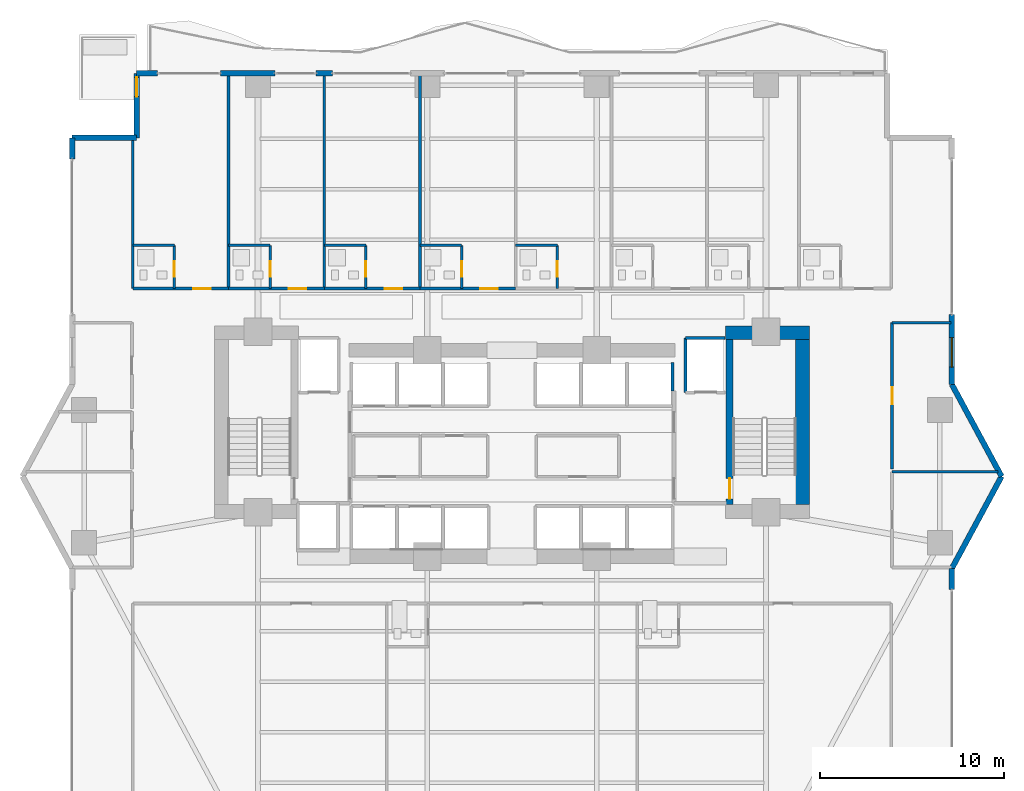
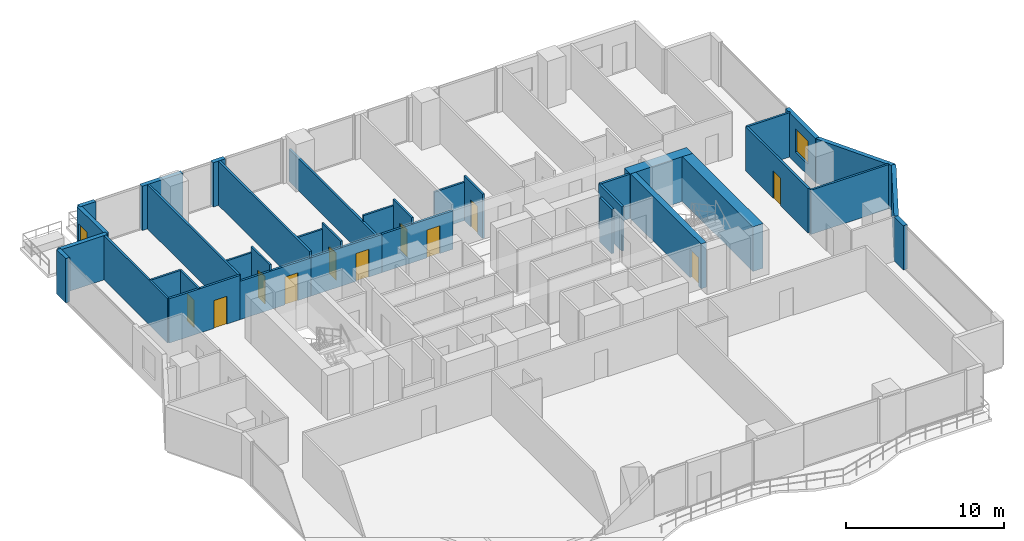
# One storey, part 23 of 28: 37 walls, 12 doors, 1 window, 13 openings.
"""IFC4 building model written with IfcOpenShell, lengths in metres."""

from ifc_helpers import new_model, si_unit, direction, frame, frame_2d, origin, place, context, subcontext, project, spatial, rectangle, extrude, material, layer, layer_set, type_object, element, fill, save


model = new_model("IFC4")

# Units and contexts
model_context = context("Model", 3, precision=1e-05, world=origin(), true_north=direction((0.0, 1.0)))
body_context = subcontext(model_context, "Body", "Model", "MODEL_VIEW")
ifc_project = project(units=[si_unit("LENGTHUNIT", "METRE"), si_unit("AREAUNIT", "SQUARE_METRE"), si_unit("VOLUMEUNIT", "CUBIC_METRE"), si_unit("PLANEANGLEUNIT", "RADIAN"), si_unit("MASSUNIT", "GRAM", prefix="KILO")], contexts=[model_context])

# Site, building, storey
site_placement = place(None, origin())
site = spatial("IfcSite", under=ifc_project, at=site_placement, CompositionType="ELEMENT")
building_placement = place(site_placement, origin())
building = spatial("IfcBuilding", under=site, at=building_placement, Name="Zuhayl Quay Hotel", CompositionType="ELEMENT")
storey_placement = place(building_placement, frame((0.0, 0.0, 110.25)))
storey = spatial("IfcBuildingStorey", under=building, at=storey_placement, Name="L27", CompositionType="ELEMENT", Elevation=110.25)

# Walls
ifc_material_1 = material(Name="Concrete C60/75", Category="concrete")
ifc_layer_1 = layer(ifc_material_1, 0.75, Name="Concrete C60/75", Category="concrete")
ifc_layer_set_1 = layer_set([ifc_layer_1], Name="Concrete C60/75")
wall_type_1 = type_object("IfcWallType", Name="WL_CORE_750", PredefinedType="SHEAR", material=ifc_layer_set_1)
wall_1_placement = place(storey_placement, frame((11.60009765625, 14.304931640625, 0.0), z_axis=(0.0, 0.0, 1.0), x_axis=(1.0, 0.0, 0.0)))
element("IfcWall", 1, at=wall_1_placement, inside=storey, type_object=wall_type_1, Name="L27 Core Shear Wall CW_NE", PredefinedType="SHEAR", context=body_context, shape_type="SweptSolid", body=[
    extrude(rectangle(XDim=4.559814453125, YDim=0.75, at=frame_2d((2.27978515625, 0.0))), origin(), (0.0, 0.0, 1.0), 3.4599609375),
])
wall_2_placement = place(storey_placement, frame((15.784912109375, 4.969970703125, 0.0), z_axis=(0.0, 0.0, 1.0), x_axis=(0.0, 1.0, 0.0)))
element("IfcWall", 2, at=wall_2_placement, inside=storey, type_object=wall_type_1, Name="L27 Core Shear Wall CW_E", PredefinedType="SHEAR", context=body_context, shape_type="SweptSolid", body=[
    extrude(rectangle(XDim=8.9599609375, YDim=0.75, at=frame_2d((4.47998046875, 0.0))), origin(), (0.0, 0.0, 1.0), 3.4599609375),
])
ifc_material_2 = material(Name="Precast concrete C45/55", Category="concrete")
ifc_layer_2 = layer(ifc_material_2, 0.300048828125, Name="Precast concrete C45/55", Category="concrete")
ifc_layer_set_2 = layer_set([ifc_layer_2], Name="Precast concrete C45/55")
wall_type_2 = type_object("IfcWallType", Name="WL_EXT_300", PredefinedType="STANDARD", material=ifc_layer_set_2)
wall_3_placement = place(storey_placement, frame((-23.89990234375, 23.75, 0.0), z_axis=(0.0, 0.0, 1.0), x_axis=(0.0, 1.0, 0.0)))
element("IfcWall", 3, at=wall_3_placement, inside=storey, type_object=wall_type_2, Name="L27 Exterior Precast Wall ENV_L27_E05_EW2", PredefinedType="STANDARD", context=body_context, shape_type="SweptSolid", body=[
    extrude(rectangle(XDim=1.14990234375, YDim=0.300048828125, at=frame_2d((0.574951171875, 0.0))), origin(), (0.0, 0.0, 1.0), 3.429931640625),
])
wall_4_placement = place(storey_placement, frame((-23.89990234375, 24.89990234375, 0.0), z_axis=(0.0, 0.0, 1.0), x_axis=(1.0, 0.0, 0.0)))
element("IfcWall", 4, at=wall_4_placement, inside=storey, type_object=wall_type_2, Name="L27 Exterior Precast Wall ENV_L27_EW06", PredefinedType="STANDARD", context=body_context, shape_type="SweptSolid", body=[
    extrude(rectangle(XDim=3.5, YDim=0.300048828125, at=frame_2d((1.75, 0.0))), origin(), (0.0, 0.0, 1.0), 3.429931640625),
])

# Wall, opening, door
wall_5_placement = place(storey_placement, frame((-20.39990234375, 24.89990234375, 0.0), z_axis=(0.0, 0.0, 1.0), x_axis=(0.0, 1.0, 0.0)))
wall_5 = element("IfcWall", 5, at=wall_5_placement, inside=storey, type_object=wall_type_2, Name="L27 Exterior Precast Wall ENV_L27_SP_NW", PredefinedType="STANDARD", context=body_context, shape_type="SweptSolid", body=[
    extrude(rectangle(XDim=3.5, YDim=0.300048828125, at=frame_2d((1.75, 0.0))), origin(), (0.0, 0.0, 1.0), 3.429931640625),
])
opening_1_placement = place(wall_5_placement, frame((2.22998046875, 0.0, 0.0)))
opening_1 = element("IfcOpeningElement", 6, at=opening_1_placement, cuts=wall_5, Name="Opening DG1", PredefinedType="OPENING", context=body_context, shape_type="SweptSolid", body=[
    extrude(rectangle(XDim=1.050048828125, YDim=2.199951171875, at=frame_2d((0.52490234375, 1.10009765625))), frame((0.0, 0.159912109375, 0.0), z_axis=(0.0, -1.0, 0.0), x_axis=(1.0, 0.0, 0.0)), (0.0, 0.0, 1.0), 0.320068359375),
])
ifc_material_3 = material(Name="Anodised Aluminium and Dark Solar Glass", Category="aluminium")
door_type_1 = type_object("IfcDoorType", Name="DR_EXT_TERR_1050", OperationType="NOTDEFINED", PredefinedType="DOOR", material=ifc_material_3)
door_1_placement = place(opening_1_placement, origin())
door_1 = element("IfcDoor", 7, at=door_1_placement, inside=storey, type_object=door_type_1, Name="L27 Spiral Sky-Terrace NW Access Door", OperationType="SINGLE_SWING_LEFT", OverallHeight=2.199951171875, OverallWidth=1.050048828125, PredefinedType="DOOR", context=body_context, shape_type="SweptSolid", body=[
    extrude(rectangle(XDim=1.050048828125, YDim=2.199951171875, at=frame_2d((0.52490234375, 1.10009765625))), frame((0.0, 0.02490234375, 0.0), z_axis=(0.0, -1.0, 0.0), x_axis=(1.0, 0.0, 0.0)), (0.0, 0.0, 1.0), 0.050048828125),
])
fill(opening_1, door_1)

# Walls
wall_6_placement = place(storey_placement, frame((-20.39990234375, 28.39990234375, 0.0), z_axis=(0.0, 0.0, 1.0), x_axis=(1.0, 0.0, 0.0)))
element("IfcWall", 8, at=wall_6_placement, inside=storey, type_object=wall_type_2, Name="L27 Exterior Precast Wall ENV_L27_N_EW1", PredefinedType="STANDARD", context=body_context, shape_type="SweptSolid", body=[
    extrude(rectangle(XDim=1.14990234375, YDim=0.300048828125, at=frame_2d((0.574951171875, 0.0))), origin(), (0.0, 0.0, 1.0), 3.429931640625),
])
wall_7_placement = place(storey_placement, frame((-15.85009765625, 28.39990234375, 0.0), z_axis=(0.0, 0.0, 1.0), x_axis=(1.0, 0.0, 0.0)))
element("IfcWall", 9, at=wall_7_placement, inside=storey, type_object=wall_type_2, Name="L27 Exterior Precast Wall ENV_L27_N_EW2", PredefinedType="STANDARD", context=body_context, shape_type="SweptSolid", body=[
    extrude(rectangle(XDim=2.97021484375, YDim=0.300048828125, at=frame_2d((1.485107421875, 0.0))), origin(), (0.0, 0.0, 1.0), 3.429931640625),
])
wall_8_placement = place(storey_placement, frame((-10.64990234375, 28.39990234375, 0.0), z_axis=(0.0, 0.0, 1.0), x_axis=(1.0, 0.0, 0.0)))
element("IfcWall", 10, at=wall_8_placement, inside=storey, type_object=wall_type_2, Name="L27 Exterior Precast Wall ENV_L27_N_EW3", PredefinedType="STANDARD", context=body_context, shape_type="SweptSolid", body=[
    extrude(rectangle(XDim=0.89990234375, YDim=0.300048828125, at=frame_2d((0.449951171875, 0.0))), origin(), (0.0, 0.0, 1.0), 3.429931640625),
])

# Wall, opening, window
wall_9_placement = place(storey_placement, frame((23.89990234375, 15.300048828125, 0.0), z_axis=(0.0, 0.0, 1.0), x_axis=(0.0, -1.0, 0.0)))
wall_9 = element("IfcWall", 11, at=wall_9_placement, inside=storey, type_object=wall_type_2, Name="L27 Exterior Precast Wall ENV_L27_E11_EW2", PredefinedType="STANDARD", context=body_context, shape_type="SweptSolid", body=[
    extrude(rectangle(XDim=3.800048828125, YDim=0.300048828125, at=frame_2d((1.89990234375, 0.0))), origin(), (0.0, 0.0, 1.0), 3.429931640625),
])
opening_2_placement = place(wall_9_placement, frame((1.264892578125, 0.0, 0.85009765625)))
opening_2 = element("IfcOpeningElement", 12, at=opening_2_placement, cuts=wall_9, Name="Opening W01", PredefinedType="OPENING", context=body_context, shape_type="SweptSolid", body=[
    extrude(rectangle(XDim=1.60009765625, YDim=1.800048828125, at=frame_2d((0.800048828125, 0.89990234375))), frame((0.0, 0.159912109375, 0.0), z_axis=(0.0, -1.0, 0.0), x_axis=(1.0, 0.0, 0.0)), (0.0, 0.0, 1.0), 0.320068359375),
])
ifc_material_4 = material(Name="Dark Ceramic-Fritted Solar Glass", Category="glass")
window_type = type_object("IfcWindowType", Name="WN_OPERABLE_1600", PartitioningType="DOUBLE_PANEL_VERTICAL", PredefinedType="WINDOW", material=ifc_material_4)
window_placement = place(opening_2_placement, origin())
window = element("IfcWindow", 13, at=window_placement, inside=storey, type_object=window_type, Name="L27 Operable Facade Window 2-1", OverallHeight=1.800048828125, OverallWidth=1.60009765625, PartitioningType="SINGLE_PANEL", PredefinedType="WINDOW", context=body_context, shape_type="SweptSolid", body=[
    extrude(rectangle(XDim=1.60009765625, YDim=1.800048828125, at=frame_2d((0.800048828125, 0.89990234375))), frame((0.0, 0.030029296875, 0.0), z_axis=(0.0, -1.0, 0.0), x_axis=(1.0, 0.0, 0.0)), (0.0, 0.0, 1.0), 0.06005859375),
])
fill(opening_2, window)

# Walls
for number, where, z_axis, x_axis, name in (
    (14, (23.89990234375, 11.5, 0.0), (0.0, 0.0, 1.0), (0.475175525499, -0.879891027325, 0.0), "L27 Exterior Precast Wall ENV_L27_EW12"),
    (15, (26.60009765625, 6.5, 0.0), (0.0, 0.0, 1.0), (-0.475175525499, -0.879891027325, 0.0), "L27 Exterior Precast Wall ENV_L27_EW13"),
):
    element("IfcWall", number, at=place(storey_placement, frame(where, z_axis=z_axis, x_axis=x_axis)), inside=storey, type_object=wall_type_2, Name=name, PredefinedType="STANDARD", context=body_context, shape_type="SweptSolid", body=[
        extrude(rectangle(XDim=5.6826171875, YDim=0.300048828125, at=frame_2d((2.84130859375, 0.0))), origin(), (0.0, 0.0, 1.0), 3.429931640625),
    ])
wall_10_placement = place(storey_placement, frame((23.89990234375, 1.5, 0.0), z_axis=(0.0, 0.0, 1.0), x_axis=(0.0, -1.0, 0.0)))
element("IfcWall", 16, at=wall_10_placement, inside=storey, type_object=wall_type_2, Name="L27 Exterior Precast Wall ENV_L27_E14_EW1", PredefinedType="STANDARD", context=body_context, shape_type="SweptSolid", body=[
    extrude(rectangle(XDim=1.14990234375, YDim=0.300048828125, at=frame_2d((0.574951171875, 0.0))), origin(), (0.0, 0.0, 1.0), 3.429931640625),
])
ifc_material_5 = material(Name="Acoustic Gypsum Partition STC-58")
ifc_layer_3 = layer(ifc_material_5, 0.14990234375, Name="Acoustic Gypsum Partition STC-58")
ifc_layer_set_3 = layer_set([ifc_layer_3], Name="Acoustic Gypsum Partition STC-58")
wall_type_3 = type_object("IfcWallType", Name="WL_PART_150", PredefinedType="PARTITIONING", material=ifc_layer_set_3)
wall_11_placement = place(storey_placement, frame((-20.60009765625, 16.699951171875, 0.0), z_axis=(0.0, 0.0, 1.0), x_axis=(0.0, 1.0, 0.0)))
element("IfcWall", 17, at=wall_11_placement, inside=storey, type_object=wall_type_3, Name="L27 Partition IW_L27_NU01_W", PredefinedType="PARTITIONING", context=body_context, shape_type="SweptSolid", body=[
    extrude(rectangle(XDim=8.199951171875, YDim=0.14990234375, at=frame_2d((4.10009765625, 0.0))), origin(), (0.0, 0.0, 1.0), 3.429931640625),
])
for number, where, z_axis, x_axis, name in (
    (18, (-15.39990234375, 16.699951171875, 0.0), (0.0, 0.0, 1.0), (0.0, 1.0, 0.0), "L27 Partition IW_L27_NU01_E"),
    (19, (-10.199951171875, 16.699951171875, 0.0), (0.0, 0.0, 1.0), (0.0, 1.0, 0.0), "L27 Partition IW_L27_NU02_E"),
):
    element("IfcWall", number, at=place(storey_placement, frame(where, z_axis=z_axis, x_axis=x_axis)), inside=storey, type_object=wall_type_3, Name=name, PredefinedType="PARTITIONING", context=body_context, shape_type="SweptSolid", body=[
        extrude(rectangle(XDim=11.6201171875, YDim=0.14990234375, at=frame_2d((5.81005859375, 0.0))), origin(), (0.0, 0.0, 1.0), 3.429931640625),
    ])
wall_12_placement = place(storey_placement, frame((-5.0, 16.699951171875, 0.0), z_axis=(0.0, 0.0, 1.0), x_axis=(0.0, 1.0, 0.0)))
element("IfcWall", 20, at=wall_12_placement, inside=storey, type_object=wall_type_3, Name="L27 Partition IW_L27_NU03_E", PredefinedType="PARTITIONING", context=body_context, shape_type="SweptSolid", body=[
    extrude(rectangle(XDim=11.6201171875, YDim=0.14990234375, at=frame_2d((5.81005859375, 0.0))), origin(), (0.0, 0.0, 1.0), 2.5029296875),
])
wall_13_placement = place(storey_placement, frame((20.64990234375, 6.75, 0.0), z_axis=(0.0, 0.0, 1.0), x_axis=(1.0, 0.0, 0.0)))
element("IfcWall", 21, at=wall_13_placement, inside=storey, type_object=wall_type_3, Name="L27 Partition IW_L27_HK_MAIN_N", PredefinedType="PARTITIONING", context=body_context, shape_type="SweptSolid", body=[
    extrude(rectangle(XDim=5.755126953125, YDim=0.14990234375, at=frame_2d((2.87744140625, 0.0))), origin(), (0.0, 0.0, 1.0), 3.429931640625),
])
wall_14_placement = place(storey_placement, frame((20.64990234375, 14.85009765625, 0.0), z_axis=(0.0, 0.0, 1.0), x_axis=(1.0, 0.0, 0.0)))
element("IfcWall", 22, at=wall_14_placement, inside=storey, type_object=wall_type_3, Name="L27 Partition IW_L27_EFLK_2_N", PredefinedType="PARTITIONING", context=body_context, shape_type="SweptSolid", body=[
    extrude(rectangle(XDim=3.190185546875, YDim=0.14990234375, at=frame_2d((1.59521484375, 0.0))), origin(), (0.0, 0.0, 1.0), 3.429931640625),
])

# Wall, opening, door
ifc_layer_4 = layer(ifc_material_5, 0.159912109375, Name="Acoustic Gypsum Partition STC-58")
ifc_layer_set_4 = layer_set([ifc_layer_4], Name="Acoustic Gypsum Partition STC-58")
wall_type_4 = type_object("IfcWallType", Name="WL_PART_CORR_160", PredefinedType="PARTITIONING", material=ifc_layer_set_4)
wall_15_placement = place(storey_placement, frame((-20.60009765625, 16.699951171875, 0.0), z_axis=(0.0, 0.0, 1.0), x_axis=(1.0, 0.0, 0.0)))
wall_15 = element("IfcWall", 23, at=wall_15_placement, inside=storey, type_object=wall_type_4, Name="L27 Partition IW_L27_NU01_COR", PredefinedType="PARTITIONING", context=body_context, shape_type="SweptSolid", body=[
    extrude(rectangle(XDim=5.2001953125, YDim=0.159912109375, at=frame_2d((2.60009765625, 0.0))), origin(), (0.0, 0.0, 1.0), 3.429931640625),
])
opening_3_placement = place(wall_15_placement, frame((3.27490234375, 0.0, 0.0)))
opening_3 = element("IfcOpeningElement", 24, at=opening_3_placement, cuts=wall_15, Name="Opening D03", PredefinedType="OPENING", context=body_context, shape_type="SweptSolid", body=[
    extrude(rectangle(XDim=0.949951171875, YDim=2.14990234375, at=frame_2d((0.47509765625, 1.074951171875))), frame((0.0, 0.08984375, 0.0), z_axis=(0.0, -1.0, 0.0), x_axis=(1.0, 0.0, 0.0)), (0.0, 0.0, 1.0), 0.179931640625),
])
ifc_material_6 = material(Name="Solid Walnut Acoustic Fire Door")
door_type_2 = type_object("IfcDoorType", Name="DR_SUITE_950", OperationType="NOTDEFINED", PredefinedType="DOOR", material=ifc_material_6)
door_2_placement = place(opening_3_placement, origin())
door_2 = element("IfcDoor", 25, at=door_2_placement, inside=storey, type_object=door_type_2, Name="L27 Deluxe Gulf Guest Room L27-01 Entrance Door", OperationType="SINGLE_SWING_RIGHT", OverallHeight=2.14990234375, OverallWidth=0.949951171875, PredefinedType="DOOR", context=body_context, shape_type="SweptSolid", body=[
    extrude(rectangle(XDim=0.949951171875, YDim=2.14990234375, at=frame_2d((0.47509765625, 1.074951171875))), frame((0.0, 0.02490234375, 0.0), z_axis=(0.0, -1.0, 0.0), x_axis=(1.0, 0.0, 0.0)), (0.0, 0.0, 1.0), 0.050048828125),
])
fill(opening_3, door_2)

wall_16_placement = place(storey_placement, frame((-15.39990234375, 16.699951171875, 0.0), z_axis=(0.0, 0.0, 1.0), x_axis=(1.0, 0.0, 0.0)))
wall_16 = element("IfcWall", 26, at=wall_16_placement, inside=storey, type_object=wall_type_4, Name="L27 Partition IW_L27_NU02_COR", PredefinedType="PARTITIONING", context=body_context, shape_type="SweptSolid", body=[
    extrude(rectangle(XDim=5.199951171875, YDim=0.159912109375, at=frame_2d((2.60009765625, 0.0))), origin(), (0.0, 0.0, 1.0), 2.972900390625),
])
opening_4_placement = place(wall_16_placement, frame((3.27490234375, 0.0, 0.0)))
opening_4 = element("IfcOpeningElement", 27, at=opening_4_placement, cuts=wall_16, Name="Opening D03", PredefinedType="OPENING", context=body_context, shape_type="SweptSolid", body=[
    extrude(rectangle(XDim=0.949951171875, YDim=2.14990234375, at=frame_2d((0.47509765625, 1.074951171875))), frame((0.0, 0.08984375, 0.0), z_axis=(0.0, -1.0, 0.0), x_axis=(1.0, 0.0, 0.0)), (0.0, 0.0, 1.0), 0.179931640625),
])
door_3_placement = place(opening_4_placement, origin())
door_3 = element("IfcDoor", 28, at=door_3_placement, inside=storey, type_object=door_type_2, Name="L27 Deluxe Gulf Guest Room L27-02 Entrance Door", OperationType="SINGLE_SWING_RIGHT", OverallHeight=2.14990234375, OverallWidth=0.949951171875, PredefinedType="DOOR", context=body_context, shape_type="SweptSolid", body=[
    extrude(rectangle(XDim=0.949951171875, YDim=2.14990234375, at=frame_2d((0.47509765625, 1.074951171875))), frame((0.0, 0.02490234375, 0.0), z_axis=(0.0, -1.0, 0.0), x_axis=(1.0, 0.0, 0.0)), (0.0, 0.0, 1.0), 0.050048828125),
])
fill(opening_4, door_3)

wall_17_placement = place(storey_placement, frame((-10.199951171875, 16.699951171875, 0.0), z_axis=(0.0, 0.0, 1.0), x_axis=(1.0, 0.0, 0.0)))
wall_17 = element("IfcWall", 29, at=wall_17_placement, inside=storey, type_object=wall_type_4, Name="L27 Partition IW_L27_NU03_COR", PredefinedType="PARTITIONING", context=body_context, shape_type="SweptSolid", body=[
    extrude(rectangle(XDim=5.199951171875, YDim=0.159912109375, at=frame_2d((2.60009765625, 0.0))), origin(), (0.0, 0.0, 1.0), 2.972900390625),
])
opening_5_placement = place(wall_17_placement, frame((3.27490234375, 0.0, 0.0)))
opening_5 = element("IfcOpeningElement", 30, at=opening_5_placement, cuts=wall_17, Name="Opening D03", PredefinedType="OPENING", context=body_context, shape_type="SweptSolid", body=[
    extrude(rectangle(XDim=0.949951171875, YDim=2.14990234375, at=frame_2d((0.47509765625, 1.074951171875))), frame((0.0, 0.08984375, 0.0), z_axis=(0.0, -1.0, 0.0), x_axis=(1.0, 0.0, 0.0)), (0.0, 0.0, 1.0), 0.179931640625),
])
door_4_placement = place(opening_5_placement, origin())
door_4 = element("IfcDoor", 31, at=door_4_placement, inside=storey, type_object=door_type_2, Name="L27 Deluxe Gulf Guest Room L27-03 Entrance Door", OperationType="SINGLE_SWING_RIGHT", OverallHeight=2.14990234375, OverallWidth=0.949951171875, PredefinedType="DOOR", context=body_context, shape_type="SweptSolid", body=[
    extrude(rectangle(XDim=0.949951171875, YDim=2.14990234375, at=frame_2d((0.47509765625, 1.074951171875))), frame((0.0, 0.02490234375, 0.0), z_axis=(0.0, -1.0, 0.0), x_axis=(1.0, 0.0, 0.0)), (0.0, 0.0, 1.0), 0.050048828125),
])
fill(opening_5, door_4)

wall_18_placement = place(storey_placement, frame((-5.0, 16.699951171875, 0.0), z_axis=(0.0, 0.0, 1.0), x_axis=(1.0, 0.0, 0.0)))
wall_18 = element("IfcWall", 32, at=wall_18_placement, inside=storey, type_object=wall_type_4, Name="L27 Partition IW_L27_NU04_COR", PredefinedType="PARTITIONING", context=body_context, shape_type="SweptSolid", body=[
    extrude(rectangle(XDim=5.199951171875, YDim=0.159912109375, at=frame_2d((2.60009765625, 0.0))), origin(), (0.0, 0.0, 1.0), 2.972900390625),
])
opening_6_placement = place(wall_18_placement, frame((3.27490234375, 0.0, 0.0)))
opening_6 = element("IfcOpeningElement", 33, at=opening_6_placement, cuts=wall_18, Name="Opening D03", PredefinedType="OPENING", context=body_context, shape_type="SweptSolid", body=[
    extrude(rectangle(XDim=0.949951171875, YDim=2.14990234375, at=frame_2d((0.47509765625, 1.074951171875))), frame((0.0, 0.08984375, 0.0), z_axis=(0.0, -1.0, 0.0), x_axis=(1.0, 0.0, 0.0)), (0.0, 0.0, 1.0), 0.179931640625),
])
door_5_placement = place(opening_6_placement, origin())
door_5 = element("IfcDoor", 34, at=door_5_placement, inside=storey, type_object=door_type_2, Name="L27 Deluxe Gulf Guest Room L27-04 Entrance Door", OperationType="SINGLE_SWING_RIGHT", OverallHeight=2.14990234375, OverallWidth=0.949951171875, PredefinedType="DOOR", context=body_context, shape_type="SweptSolid", body=[
    extrude(rectangle(XDim=0.949951171875, YDim=2.14990234375, at=frame_2d((0.47509765625, 1.074951171875))), frame((0.0, 0.02490234375, 0.0), z_axis=(0.0, -1.0, 0.0), x_axis=(1.0, 0.0, 0.0)), (0.0, 0.0, 1.0), 0.050048828125),
])
fill(opening_6, door_5)

wall_19_placement = place(storey_placement, frame((20.64990234375, 6.909912109375, 0.0), z_axis=(0.0, 0.0, 1.0), x_axis=(0.0, 1.0, 0.0)))
wall_19 = element("IfcWall", 35, at=wall_19_placement, inside=storey, type_object=wall_type_4, Name="L27 Partition IW_L27_EFLK_2_W", PredefinedType="PARTITIONING", context=body_context, shape_type="SweptSolid", body=[
    extrude(rectangle(XDim=7.940185546875, YDim=0.159912109375, at=frame_2d((3.97021484375, 0.0))), origin(), (0.0, 0.0, 1.0), 3.429931640625),
])
opening_7_placement = place(wall_19_placement, frame((3.510009765625, 0.0, 0.0)))
opening_7 = element("IfcOpeningElement", 36, at=opening_7_placement, cuts=wall_19, Name="Opening D05", PredefinedType="OPENING", context=body_context, shape_type="SweptSolid", body=[
    extrude(rectangle(XDim=0.919921875, YDim=2.1201171875, at=frame_2d((0.4599609375, 1.06005859375))), frame((0.0, 0.08984375, 0.0), z_axis=(0.0, -1.0, 0.0), x_axis=(1.0, 0.0, 0.0)), (0.0, 0.0, 1.0), 0.179931640625),
])
door_type_3 = type_object("IfcDoorType", Name="DR_INT_950", OperationType="NOTDEFINED", PredefinedType="DOOR", material=ifc_material_6)
door_6_placement = place(opening_7_placement, origin())
door_6 = element("IfcDoor", 37, at=door_6_placement, inside=storey, type_object=door_type_3, Name="L27 East Prow Reading Lounge L27 Door", OperationType="SINGLE_SWING_LEFT", OverallHeight=2.1201171875, OverallWidth=0.919921875, PredefinedType="DOOR", context=body_context, shape_type="SweptSolid", body=[
    extrude(rectangle(XDim=0.919921875, YDim=2.1201171875, at=frame_2d((0.4599609375, 1.06005859375))), frame((0.0, 0.02490234375, 0.0), z_axis=(0.0, -1.0, 0.0), x_axis=(1.0, 0.0, 0.0)), (0.0, 0.0, 1.0), 0.050048828125),
])
fill(opening_7, door_6)

ifc_material_7 = material(Name="Moisture-Resistant Sanitarychase Gypsum")
ifc_layer_5 = layer(ifc_material_7, 0.135009765625, Name="Moisture-Resistant Sanitarychase Gypsum")
ifc_layer_set_5 = layer_set([ifc_layer_5], Name="Moisture-Resistant Sanitarychase Gypsum")
wall_type_5 = type_object("IfcWallType", Name="WL_PART_PLUMB_150", PredefinedType="PLUMBINGWALL", material=ifc_layer_set_5)
wall_20_placement = place(storey_placement, frame((-18.340087890625, 16.699951171875, 0.0), z_axis=(0.0, 0.0, 1.0), x_axis=(0.0, 1.0, 0.0)))
wall_20 = element("IfcWall", 38, at=wall_20_placement, inside=storey, type_object=wall_type_5, Name="L27 Partition IW_L27_NU01_BE", PredefinedType="PLUMBINGWALL", context=body_context, shape_type="SweptSolid", body=[
    extrude(rectangle(XDim=2.360107421875, YDim=0.135009765625, at=frame_2d((1.18017578125, 0.0))), origin(), (0.0, 0.0, 1.0), 3.429931640625),
])
opening_8_placement = place(wall_20_placement, frame((0.64990234375, 0.0, 0.0)))
opening_8 = element("IfcOpeningElement", 39, at=opening_8_placement, cuts=wall_20, Name="Opening D04", PredefinedType="OPENING", context=body_context, shape_type="SweptSolid", body=[
    extrude(rectangle(XDim=0.85009765625, YDim=2.10009765625, at=frame_2d((0.425048828125, 1.050048828125))), frame((0.0, 0.077392578125, 0.0), z_axis=(0.0, -1.0, 0.0), x_axis=(1.0, 0.0, 0.0)), (0.0, 0.0, 1.0), 0.155029296875),
])
ifc_material_8 = material(Name="Moisture-Resistant Walnut Veneer")
door_type_4 = type_object("IfcDoorType", Name="DR_BATH_850", OperationType="NOTDEFINED", PredefinedType="DOOR", material=ifc_material_8)
door_7_placement = place(opening_8_placement, origin())
door_7 = element("IfcDoor", 40, at=door_7_placement, inside=storey, type_object=door_type_4, Name="L27 Deluxe Gulf Guest Room L27-01 En-Suite Door", OperationType="SINGLE_SWING_LEFT", OverallHeight=2.10009765625, OverallWidth=0.85009765625, PredefinedType="DOOR", context=body_context, shape_type="SweptSolid", body=[
    extrude(rectangle(XDim=0.85009765625, YDim=2.10009765625, at=frame_2d((0.425048828125, 1.050048828125))), frame((0.0, 0.02490234375, 0.0), z_axis=(0.0, -1.0, 0.0), x_axis=(1.0, 0.0, 0.0)), (0.0, 0.0, 1.0), 0.050048828125),
])
fill(opening_8, door_7)

wall_21_placement = place(storey_placement, frame((-13.139892578125, 16.699951171875, 0.0), z_axis=(0.0, 0.0, 1.0), x_axis=(0.0, 1.0, 0.0)))
wall_21 = element("IfcWall", 41, at=wall_21_placement, inside=storey, type_object=wall_type_5, Name="L27 Partition IW_L27_NU02_BE", PredefinedType="PLUMBINGWALL", context=body_context, shape_type="SweptSolid", body=[
    extrude(rectangle(XDim=2.360107421875, YDim=0.135009765625, at=frame_2d((1.18017578125, 0.0))), origin(), (0.0, 0.0, 1.0), 3.429931640625),
])
opening_9_placement = place(wall_21_placement, frame((0.64990234375, 0.0, 0.0)))
opening_9 = element("IfcOpeningElement", 42, at=opening_9_placement, cuts=wall_21, Name="Opening D04", PredefinedType="OPENING", context=body_context, shape_type="SweptSolid", body=[
    extrude(rectangle(XDim=0.85009765625, YDim=2.10009765625, at=frame_2d((0.425048828125, 1.050048828125))), frame((0.0, 0.077392578125, 0.0), z_axis=(0.0, -1.0, 0.0), x_axis=(1.0, 0.0, 0.0)), (0.0, 0.0, 1.0), 0.155029296875),
])
door_8_placement = place(opening_9_placement, origin())
door_8 = element("IfcDoor", 43, at=door_8_placement, inside=storey, type_object=door_type_4, Name="L27 Deluxe Gulf Guest Room L27-02 En-Suite Door", OperationType="SINGLE_SWING_LEFT", OverallHeight=2.10009765625, OverallWidth=0.85009765625, PredefinedType="DOOR", context=body_context, shape_type="SweptSolid", body=[
    extrude(rectangle(XDim=0.85009765625, YDim=2.10009765625, at=frame_2d((0.425048828125, 1.050048828125))), frame((0.0, 0.02490234375, 0.0), z_axis=(0.0, -1.0, 0.0), x_axis=(1.0, 0.0, 0.0)), (0.0, 0.0, 1.0), 0.050048828125),
])
fill(opening_9, door_8)

wall_22_placement = place(storey_placement, frame((-7.93994140625, 16.699951171875, 0.0), z_axis=(0.0, 0.0, 1.0), x_axis=(0.0, 1.0, 0.0)))
wall_22 = element("IfcWall", 44, at=wall_22_placement, inside=storey, type_object=wall_type_5, Name="L27 Partition IW_L27_NU03_BE", PredefinedType="PLUMBINGWALL", context=body_context, shape_type="SweptSolid", body=[
    extrude(rectangle(XDim=2.360107421875, YDim=0.135009765625, at=frame_2d((1.18017578125, 0.0))), origin(), (0.0, 0.0, 1.0), 3.429931640625),
])
opening_10_placement = place(wall_22_placement, frame((0.64990234375, 0.0, 0.0)))
opening_10 = element("IfcOpeningElement", 45, at=opening_10_placement, cuts=wall_22, Name="Opening D04", PredefinedType="OPENING", context=body_context, shape_type="SweptSolid", body=[
    extrude(rectangle(XDim=0.85009765625, YDim=2.10009765625, at=frame_2d((0.425048828125, 1.050048828125))), frame((0.0, 0.077392578125, 0.0), z_axis=(0.0, -1.0, 0.0), x_axis=(1.0, 0.0, 0.0)), (0.0, 0.0, 1.0), 0.155029296875),
])
door_9_placement = place(opening_10_placement, origin())
door_9 = element("IfcDoor", 46, at=door_9_placement, inside=storey, type_object=door_type_4, Name="L27 Deluxe Gulf Guest Room L27-03 En-Suite Door", OperationType="SINGLE_SWING_LEFT", OverallHeight=2.10009765625, OverallWidth=0.85009765625, PredefinedType="DOOR", context=body_context, shape_type="SweptSolid", body=[
    extrude(rectangle(XDim=0.85009765625, YDim=2.10009765625, at=frame_2d((0.425048828125, 1.050048828125))), frame((0.0, 0.02490234375, 0.0), z_axis=(0.0, -1.0, 0.0), x_axis=(1.0, 0.0, 0.0)), (0.0, 0.0, 1.0), 0.050048828125),
])
fill(opening_10, door_9)

wall_23_placement = place(storey_placement, frame((-2.739990234375, 16.699951171875, 0.0), z_axis=(0.0, 0.0, 1.0), x_axis=(0.0, 1.0, 0.0)))
wall_23 = element("IfcWall", 47, at=wall_23_placement, inside=storey, type_object=wall_type_5, Name="L27 Partition IW_L27_NU04_BE", PredefinedType="PLUMBINGWALL", context=body_context, shape_type="SweptSolid", body=[
    extrude(rectangle(XDim=2.360107421875, YDim=0.135009765625, at=frame_2d((1.18017578125, 0.0))), origin(), (0.0, 0.0, 1.0), 3.429931640625),
])
opening_11_placement = place(wall_23_placement, frame((0.64990234375, 0.0, 0.0)))
opening_11 = element("IfcOpeningElement", 48, at=opening_11_placement, cuts=wall_23, Name="Opening D04", PredefinedType="OPENING", context=body_context, shape_type="SweptSolid", body=[
    extrude(rectangle(XDim=0.85009765625, YDim=2.10009765625, at=frame_2d((0.425048828125, 1.050048828125))), frame((0.0, 0.077392578125, 0.0), z_axis=(0.0, -1.0, 0.0), x_axis=(1.0, 0.0, 0.0)), (0.0, 0.0, 1.0), 0.155029296875),
])
door_10_placement = place(opening_11_placement, origin())
door_10 = element("IfcDoor", 49, at=door_10_placement, inside=storey, type_object=door_type_4, Name="L27 Deluxe Gulf Guest Room L27-04 En-Suite Door", OperationType="SINGLE_SWING_LEFT", OverallHeight=2.10009765625, OverallWidth=0.85009765625, PredefinedType="DOOR", context=body_context, shape_type="SweptSolid", body=[
    extrude(rectangle(XDim=0.85009765625, YDim=2.10009765625, at=frame_2d((0.425048828125, 1.050048828125))), frame((0.0, 0.02490234375, 0.0), z_axis=(0.0, -1.0, 0.0), x_axis=(1.0, 0.0, 0.0)), (0.0, 0.0, 1.0), 0.050048828125),
])
fill(opening_11, door_10)

wall_24_placement = place(storey_placement, frame((2.4599609375, 16.699951171875, 0.0), z_axis=(0.0, 0.0, 1.0), x_axis=(0.0, 1.0, 0.0)))
wall_24 = element("IfcWall", 50, at=wall_24_placement, inside=storey, type_object=wall_type_5, Name="L27 Partition IW_L27_NU05_BE", PredefinedType="PLUMBINGWALL", context=body_context, shape_type="SweptSolid", body=[
    extrude(rectangle(XDim=2.360107421875, YDim=0.135009765625, at=frame_2d((1.18017578125, 0.0))), origin(), (0.0, 0.0, 1.0), 3.429931640625),
])
opening_12_placement = place(wall_24_placement, frame((0.64990234375, 0.0, 0.0)))
opening_12 = element("IfcOpeningElement", 51, at=opening_12_placement, cuts=wall_24, Name="Opening D04", PredefinedType="OPENING", context=body_context, shape_type="SweptSolid", body=[
    extrude(rectangle(XDim=0.85009765625, YDim=2.10009765625, at=frame_2d((0.425048828125, 1.050048828125))), frame((0.0, 0.077392578125, 0.0), z_axis=(0.0, -1.0, 0.0), x_axis=(1.0, 0.0, 0.0)), (0.0, 0.0, 1.0), 0.155029296875),
])
door_11_placement = place(opening_12_placement, origin())
door_11 = element("IfcDoor", 52, at=door_11_placement, inside=storey, type_object=door_type_4, Name="L27 Deluxe Gulf Guest Room L27-05 En-Suite Door", OperationType="SINGLE_SWING_LEFT", OverallHeight=2.10009765625, OverallWidth=0.85009765625, PredefinedType="DOOR", context=body_context, shape_type="SweptSolid", body=[
    extrude(rectangle(XDim=0.85009765625, YDim=2.10009765625, at=frame_2d((0.425048828125, 1.050048828125))), frame((0.0, 0.02490234375, 0.0), z_axis=(0.0, -1.0, 0.0), x_axis=(1.0, 0.0, 0.0)), (0.0, 0.0, 1.0), 0.050048828125),
])
fill(opening_12, door_11)

# Walls
wall_25_placement = place(storey_placement, frame((-20.60009765625, 19.06005859375, 0.0), z_axis=(0.0, 0.0, 1.0), x_axis=(1.0, 0.0, 0.0)))
element("IfcWall", 53, at=wall_25_placement, inside=storey, type_object=wall_type_5, Name="L27 Partition IW_L27_NU01_BN", PredefinedType="PLUMBINGWALL", context=body_context, shape_type="SweptSolid", body=[
    extrude(rectangle(XDim=2.260009765625, YDim=0.135009765625, at=frame_2d((1.1298828125, 0.0))), origin(), (0.0, 0.0, 1.0), 3.429931640625),
])
for number, where, z_axis, x_axis, name in (
    (54, (-15.39990234375, 19.06005859375, 0.0), (0.0, 0.0, 1.0), (1.0, 0.0, 0.0), "L27 Partition IW_L27_NU02_BN"),
    (55, (-10.199951171875, 19.06005859375, 0.0), (0.0, 0.0, 1.0), (1.0, 0.0, 0.0), "L27 Partition IW_L27_NU03_BN"),
    (56, (-5.0, 19.06005859375, 0.0), (0.0, 0.0, 1.0), (1.0, 0.0, 0.0), "L27 Partition IW_L27_NU04_BN"),
    (57, (0.199951171875, 19.06005859375, 0.0), (0.0, 0.0, 1.0), (1.0, 0.0, 0.0), "L27 Partition IW_L27_NU05_BN"),
):
    element("IfcWall", number, at=place(storey_placement, frame(where, z_axis=z_axis, x_axis=x_axis)), inside=storey, type_object=wall_type_5, Name=name, PredefinedType="PLUMBINGWALL", context=body_context, shape_type="SweptSolid", body=[
        extrude(rectangle(XDim=2.260009765625, YDim=0.135009765625, at=frame_2d((1.1298828125, 0.0))), origin(), (0.0, 0.0, 1.0), 2.972900390625),
    ])
ifc_material_9 = material(Name="Gypsum Fireboard Assembly EI-90")
ifc_layer_6 = layer(ifc_material_9, 0.1650390625, Name="Gypsum Fireboard Assembly EI-90")
ifc_layer_set_6 = layer_set([ifc_layer_6], Name="Gypsum Fireboard Assembly EI-90")
wall_type_6 = type_object("IfcWallType", Name="WL_PART_SHAFT_160", PredefinedType="PARTITIONING", material=ifc_layer_set_6)
wall_26_placement = place(storey_placement, frame((9.419921875, 11.070068359375, 0.0), z_axis=(0.0, 0.0, 1.0), x_axis=(0.0, 1.0, 0.0)))
element("IfcWall", 58, at=wall_26_placement, inside=storey, type_object=wall_type_6, Name="L27 Partition IW_L27_SH_FL2_W", PredefinedType="PARTITIONING", context=body_context, shape_type="SweptSolid", body=[
    extrude(rectangle(XDim=2.9599609375, YDim=0.1650390625, at=frame_2d((1.47998046875, 0.0))), origin(), (0.0, 0.0, 1.0), 3.429931640625),
])
wall_27_placement = place(storey_placement, frame((9.419921875, 14.030029296875, 0.0), z_axis=(0.0, 0.0, 1.0), x_axis=(1.0, 0.0, 0.0)))
element("IfcWall", 59, at=wall_27_placement, inside=storey, type_object=wall_type_6, Name="L27 Partition IW_L27_SH_FL2_B", PredefinedType="PARTITIONING", context=body_context, shape_type="SweptSolid", body=[
    extrude(rectangle(XDim=2.16015625, YDim=0.1650390625, at=frame_2d((1.080078125, 0.0))), origin(), (0.0, 0.0, 1.0), 3.429931640625),
])
wall_28_placement = place(storey_placement, frame((8.72998046875, 11.14990234375, 0.0), z_axis=(0.0, 0.0, 1.0), x_axis=(0.0, 1.0, 0.0)))
element("IfcWall", 60, at=wall_28_placement, inside=storey, type_object=wall_type_6, Name="L27 Partition IW_L27_SH_HP4_E", PredefinedType="PARTITIONING", context=body_context, shape_type="SweptSolid", body=[
    extrude(rectangle(XDim=1.530029296875, YDim=0.1650390625, at=frame_2d((0.76513671875, 0.0))), origin(), (0.0, 0.0, 1.0), 3.429931640625),
])

# Wall, opening, door
ifc_layer_7 = layer(ifc_material_1, 0.39990234375, Name="Concrete C60/75", Category="concrete")
ifc_layer_set_7 = layer_set([ifc_layer_7], Name="Concrete C60/75")
wall_type_7 = type_object("IfcWallType", Name="WL_STAIR_400", PredefinedType="SHEAR", material=ifc_layer_set_7)
wall_29_placement = place(storey_placement, frame((11.820068359375, 13.929931640625, 0.0), z_axis=(0.0, 0.0, 1.0), x_axis=(0.0, -1.0, 0.0)))
wall_29 = element("IfcWall", 61, at=wall_29_placement, inside=storey, type_object=wall_type_7, Name="L27 Core Shear Wall SW_ST2", PredefinedType="SHEAR", context=body_context, shape_type="SweptSolid", body=[
    extrude(rectangle(XDim=8.9599609375, YDim=0.39990234375, at=frame_2d((4.47998046875, 0.0))), origin(), (0.0, 0.0, 1.0), 3.4599609375),
])
opening_13_placement = place(wall_29_placement, frame((7.530029296875, 0.0, 0.0)))
opening_13 = element("IfcOpeningElement", 62, at=opening_13_placement, cuts=wall_29, Name="Opening D01", PredefinedType="OPENING", context=body_context, shape_type="SweptSolid", body=[
    extrude(rectangle(XDim=1.1201171875, YDim=2.219970703125, at=frame_2d((0.56005859375, 1.10986328125))), frame((0.0, 0.2099609375, 0.0), z_axis=(0.0, -1.0, 0.0), x_axis=(1.0, 0.0, 0.0)), (0.0, 0.0, 1.0), 0.419921875),
])
ifc_material_10 = material(Name="Steel ASTM A992 Grade 50", Category="steel")
door_type_5 = type_object("IfcDoorType", Name="DR_STAIR_90_1100", OperationType="NOTDEFINED", PredefinedType="DOOR", material=ifc_material_10)
door_12_placement = place(opening_13_placement, origin())
door_12 = element("IfcDoor", 63, at=door_12_placement, inside=storey, type_object=door_type_5, Name="L27 Smokeproof Exit Stair ST2 Door", OperationType="SINGLE_SWING_RIGHT", OverallHeight=2.219970703125, OverallWidth=1.1201171875, PredefinedType="DOOR", context=body_context, shape_type="SweptSolid", body=[
    extrude(rectangle(XDim=1.1201171875, YDim=2.219970703125, at=frame_2d((0.56005859375, 1.10986328125))), frame((0.0, 0.02490234375, 0.0), z_axis=(0.0, -1.0, 0.0), x_axis=(1.0, 0.0, 0.0)), (0.0, 0.0, 1.0), 0.050048828125),
])
fill(opening_13, door_12)

save(model, "model.ifc")
